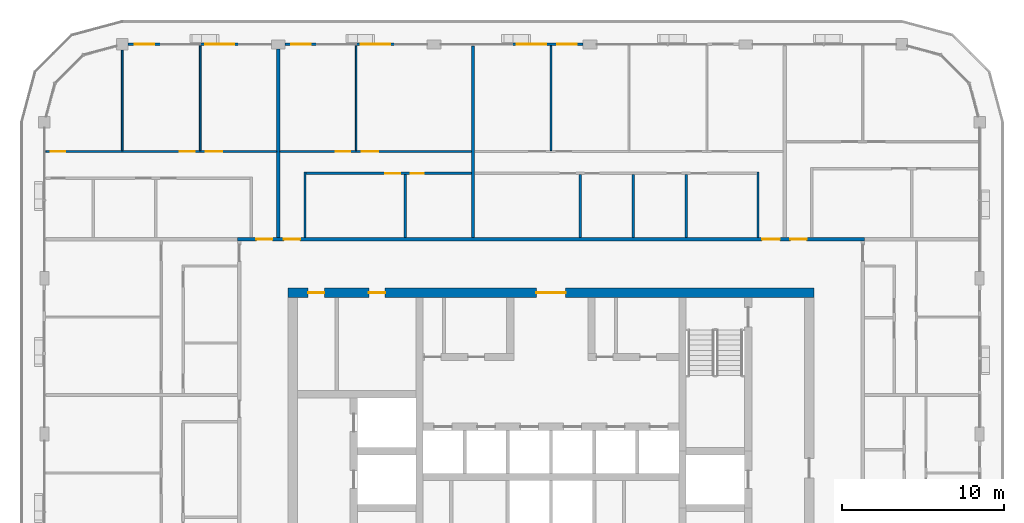
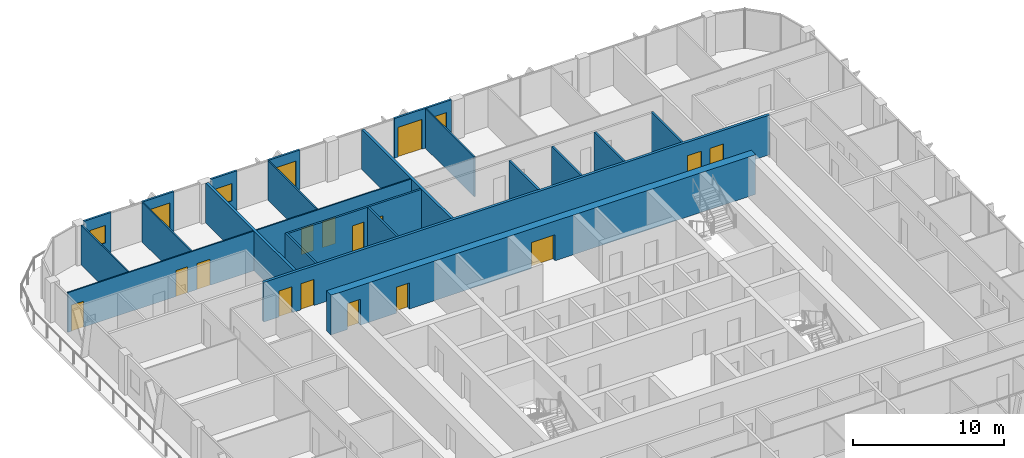
# One storey, part 14 of 21: 22 walls, 17 doors, 3 windows, 20 openings.
"""IFC4 building model written with IfcOpenShell, lengths in metres."""

from ifc_helpers import new_model, si_unit, direction, frame, frame_2d, origin, place, context, subcontext, project, spatial, rectangle, extrude, material, layer, layer_set, type_object, element, fill, save


model = new_model("IFC4")

# Units and contexts
model_context = context("Model", 3, precision=1e-05, world=origin(), true_north=direction((0.0, 1.0)))
body_context = subcontext(model_context, "Body", "Model", "MODEL_VIEW")
ifc_project = project(units=[si_unit("LENGTHUNIT", "METRE"), si_unit("AREAUNIT", "SQUARE_METRE"), si_unit("VOLUMEUNIT", "CUBIC_METRE"), si_unit("PLANEANGLEUNIT", "RADIAN"), si_unit("MASSUNIT", "GRAM", prefix="KILO")], contexts=[model_context])

# Site, building, storey
site_placement = place(None, origin())
site = spatial("IfcSite", under=ifc_project, at=site_placement, CompositionType="ELEMENT")
building_placement = place(site_placement, origin())
building = spatial("IfcBuilding", under=site, at=building_placement, Name="Madar Terraces", CompositionType="ELEMENT")
storey_placement = place(building_placement, frame((0.0, 0.0, 245.699951171875)))
storey = spatial("IfcBuildingStorey", under=building, at=storey_placement, Name="L64", CompositionType="ELEMENT", Elevation=245.699951171875)

# Wall, openings, doors
ifc_material_1 = material(Name="Concrete C55/67", Category="concrete")
ifc_layer_1 = layer(ifc_material_1, 0.60009765625)
ifc_layer_set_1 = layer_set([ifc_layer_1], Name="Concrete C55/67 (CRW5 RC wall 600)")
wall_type_1 = type_object("IfcWallType", Name="CRW5 RC wall 600", PredefinedType="SHEAR", material=ifc_layer_set_1)
wall_1_placement = place(storey_placement, frame((15.0, 37.5, 0.0), z_axis=(0.0, 0.0, 1.0), x_axis=(1.0, 0.0, 0.0)))
wall_1 = element("IfcWall", 1, at=wall_1_placement, inside=storey, type_object=wall_type_1, Name="CORE OUTER WALL", PredefinedType="SHEAR", context=body_context, shape_type="SweptSolid", body=[
    extrude(rectangle(XDim=32.39990234375, YDim=0.60009765625, at=frame_2d((16.199951171875, 0.0))), origin(), (0.0, 0.0, 1.0), 3.199951171875),
])
opening_1_placement = place(wall_1_placement, frame((15.300048828125, 0.0, 0.0)))
opening_1 = element("IfcOpeningElement", 2, at=opening_1_placement, cuts=wall_1, Name="Opening KD1", PredefinedType="OPENING", context=body_context, shape_type="SweptSolid", body=[
    extrude(rectangle(XDim=1.800048828125, YDim=2.10009765625, at=frame_2d((0.89990234375, 1.050048828125))), frame((0.0, 0.31005859375, 0.0), z_axis=(0.0, -1.0, 0.0), x_axis=(1.0, 0.0, 0.0)), (0.0, 0.0, 1.0), 0.6201171875),
])
opening_2_placement = place(wall_1_placement, frame((1.25048828125, 0.0, 0.0)))
opening_2 = element("IfcOpeningElement", 3, at=opening_2_placement, cuts=wall_1, Name="Opening KD2", PredefinedType="OPENING", context=body_context, shape_type="SweptSolid", body=[
    extrude(rectangle(XDim=1.0, YDim=2.10009765625, at=frame_2d((0.5, 1.050048828125))), frame((0.0, 0.31005859375, 0.0), z_axis=(0.0, -1.0, 0.0), x_axis=(1.0, 0.0, 0.0)), (0.0, 0.0, 1.0), 0.6201171875),
])
opening_3_placement = place(wall_1_placement, frame((4.98779296875, 0.0, 0.0)))
opening_3 = element("IfcOpeningElement", 4, at=opening_3_placement, cuts=wall_1, Name="Opening KD2", PredefinedType="OPENING", context=body_context, shape_type="SweptSolid", body=[
    extrude(rectangle(XDim=1.0, YDim=2.10009765625, at=frame_2d((0.5, 1.050048828125))), frame((0.0, 0.31005859375, 0.0), z_axis=(0.0, -1.0, 0.0), x_axis=(1.0, 0.0, 0.0)), (0.0, 0.0, 1.0), 0.6201171875),
])
ifc_material_2 = material(Name="Steel door leaf", Category="steel")
door_type_1 = type_object("IfcDoorType", Name="Lobby door pair 1800 x 2100", OperationType="DOUBLE_DOOR_SINGLE_SWING", PredefinedType="DOOR", material=ifc_material_2)
door_1_placement = place(opening_1_placement, origin())
door_1 = element("IfcDoor", 5, at=door_1_placement, inside=storey, type_object=door_type_1, Name="LIFT LOBBY DOOR", OperationType="DOUBLE_DOOR_SINGLE_SWING", OverallHeight=2.10009765625, OverallWidth=1.800048828125, PredefinedType="DOOR", context=body_context, shape_type="SweptSolid", body=[
    extrude(rectangle(XDim=1.800048828125, YDim=2.10009765625, at=frame_2d((0.89990234375, 1.050048828125))), frame((0.0, 0.02490234375, 0.0), z_axis=(0.0, -1.0, 0.0), x_axis=(1.0, 0.0, 0.0)), (0.0, 0.0, 1.0), 0.050048828125),
])
fill(opening_1, door_1)
ifc_material_3 = material(Name="Steel door leaf", Category="steel")
door_type_2 = type_object("IfcDoorType", Name="Service room door 1000 x 2100", OperationType="NOTDEFINED", PredefinedType="DOOR", material=ifc_material_3)
door_2_placement = place(opening_2_placement, origin())
door_2 = element("IfcDoor", 6, at=door_2_placement, inside=storey, type_object=door_type_2, Name="SERVICE ROOM DOOR", OperationType="SINGLE_SWING_LEFT", OverallHeight=2.10009765625, OverallWidth=1.0, PredefinedType="DOOR", context=body_context, shape_type="SweptSolid", body=[
    extrude(rectangle(XDim=1.0, YDim=2.10009765625, at=frame_2d((0.5, 1.050048828125))), frame((0.0, 0.02490234375, 0.0), z_axis=(0.0, -1.0, 0.0), x_axis=(1.0, 0.0, 0.0)), (0.0, 0.0, 1.0), 0.050048828125),
])
fill(opening_2, door_2)
door_3_placement = place(opening_3_placement, origin())
door_3 = element("IfcDoor", 7, at=door_3_placement, inside=storey, type_object=door_type_2, Name="SERVICE ROOM DOOR", OperationType="SINGLE_SWING_RIGHT", OverallHeight=2.10009765625, OverallWidth=1.0, PredefinedType="DOOR", context=body_context, shape_type="SweptSolid", body=[
    extrude(rectangle(XDim=1.0, YDim=2.10009765625, at=frame_2d((0.5, 1.050048828125))), frame((0.0, 0.02490234375, 0.0), z_axis=(0.0, -1.0, 0.0), x_axis=(1.0, 0.0, 0.0)), (0.0, 0.0, 1.0), 0.050048828125),
])
fill(opening_3, door_3)

# Wall, openings, door, window
ifc_material_4 = material(Name="Aluminium composite panel, black, over insulated backing", Category="aluminium")
ifc_layer_2 = layer(ifc_material_4, 0.14990234375)
ifc_layer_set_2 = layer_set([ifc_layer_2], Name="Facade bay panel 150")
wall_type_2 = type_object("IfcWallType", Name="Facade bay panel 150", PredefinedType="SOLIDWALL", material=ifc_layer_set_2)
wall_2_placement = place(storey_placement, frame((33.175048828125, 52.800048828125, 0.0), z_axis=(0.0, 0.0, 1.0), x_axis=(-1.0, 0.0, 0.0)))
wall_2 = element("IfcWall", 8, at=wall_2_placement, inside=storey, type_object=wall_type_2, Name="Facade bay panel", PredefinedType="SOLIDWALL", context=body_context, shape_type="SweptSolid", body=[
    extrude(rectangle(XDim=4.375, YDim=0.14990234375, at=frame_2d((2.1875, 0.0))), origin(), (0.0, 0.0, 1.0), 3.199951171875),
])
opening_4_placement = place(wall_2_placement, frame((0.387451171875, 0.0, 0.89990234375)))
opening_4 = element("IfcOpeningElement", 9, at=opening_4_placement, cuts=wall_2, Name="Opening W1", PredefinedType="OPENING", context=body_context, shape_type="SweptSolid", body=[
    extrude(rectangle(XDim=1.199951171875, YDim=1.39990234375, at=frame_2d((0.60009765625, 0.699951171875))), frame((0.0, 0.0849609375, 0.0), z_axis=(0.0, -1.0, 0.0), x_axis=(1.0, 0.0, 0.0)), (0.0, 0.0, 1.0), 0.169921875),
])
opening_5_placement = place(wall_2_placement, frame((2.27490234375, 0.0, 0.0)))
opening_5 = element("IfcOpeningElement", 10, at=opening_5_placement, cuts=wall_2, Name="Opening ED1", PredefinedType="OPENING", context=body_context, shape_type="SweptSolid", body=[
    extrude(rectangle(XDim=1.800048828125, YDim=2.39990234375, at=frame_2d((0.89990234375, 1.199951171875))), frame((0.0, 0.0849609375, 0.0), z_axis=(0.0, -1.0, 0.0), x_axis=(1.0, 0.0, 0.0)), (0.0, 0.0, 1.0), 0.169921875),
])
ifc_material_5 = material(Name="Glass, clear, with black aluminium frame", Category="aluminium")
door_type_3 = type_object("IfcDoorType", Name="Balcony and terrace sliding door 1800 x 2400", OperationType="SLIDING_TO_LEFT", PredefinedType="DOOR", material=ifc_material_5)
door_4_placement = place(opening_5_placement, origin())
door_4 = element("IfcDoor", 11, at=door_4_placement, inside=storey, type_object=door_type_3, Name="Balcony door", OperationType="SLIDING_TO_RIGHT", OverallHeight=2.39990234375, OverallWidth=1.800048828125, PredefinedType="DOOR", context=body_context, shape_type="SweptSolid", body=[
    extrude(rectangle(XDim=1.800048828125, YDim=2.39990234375, at=frame_2d((0.89990234375, 1.199951171875))), frame((0.0, 0.02490234375, 0.0), z_axis=(0.0, -1.0, 0.0), x_axis=(1.0, 0.0, 0.0)), (0.0, 0.0, 1.0), 0.050048828125),
])
fill(opening_5, door_4)
ifc_material_6 = material(Name="Glass, clear, with black aluminium frame", Category="aluminium")
window_type = type_object("IfcWindowType", Name="Vent window 1200 x 1400", PartitioningType="SINGLE_PANEL", PredefinedType="WINDOW", material=ifc_material_6)
window_1_placement = place(opening_4_placement, origin())
window_1 = element("IfcWindow", 12, at=window_1_placement, inside=storey, type_object=window_type, Name="Operable vent window", OverallHeight=1.39990234375, OverallWidth=1.199951171875, PartitioningType="SINGLE_PANEL", PredefinedType="WINDOW", context=body_context, shape_type="SweptSolid", body=[
    extrude(rectangle(XDim=1.199951171875, YDim=1.39990234375, at=frame_2d((0.60009765625, 0.699951171875))), frame((0.0, 0.030029296875, 0.0), z_axis=(0.0, -1.0, 0.0), x_axis=(1.0, 0.0, 0.0)), (0.0, 0.0, 1.0), 0.06005859375),
])
fill(opening_4, window_1)

# Wall, opening, door
wall_3_placement = place(storey_placement, frame((21.60009765625, 52.800048828125, 0.0), z_axis=(0.0, 0.0, 1.0), x_axis=(-1.0, 0.0, 0.0)))
wall_3 = element("IfcWall", 13, at=wall_3_placement, inside=storey, type_object=wall_type_2, Name="Facade bay panel", PredefinedType="SOLIDWALL", context=body_context, shape_type="SweptSolid", body=[
    extrude(rectangle(XDim=2.400146484375, YDim=0.14990234375, at=frame_2d((1.2001953125, 0.0))), origin(), (0.0, 0.0, 1.0), 3.199951171875),
])
opening_6_placement = place(wall_3_placement, frame((0.300048828125, 0.0, 0.0)))
opening_6 = element("IfcOpeningElement", 14, at=opening_6_placement, cuts=wall_3, Name="Opening ED1", PredefinedType="OPENING", context=body_context, shape_type="SweptSolid", body=[
    extrude(rectangle(XDim=1.800048828125, YDim=2.39990234375, at=frame_2d((0.89990234375, 1.199951171875))), frame((0.0, 0.0849609375, 0.0), z_axis=(0.0, -1.0, 0.0), x_axis=(1.0, 0.0, 0.0)), (0.0, 0.0, 1.0), 0.169921875),
])
door_5_placement = place(opening_6_placement, origin())
door_5 = element("IfcDoor", 15, at=door_5_placement, inside=storey, type_object=door_type_3, Name="Balcony door", OperationType="SLIDING_TO_LEFT", OverallHeight=2.39990234375, OverallWidth=1.800048828125, PredefinedType="DOOR", context=body_context, shape_type="SweptSolid", body=[
    extrude(rectangle(XDim=1.800048828125, YDim=2.39990234375, at=frame_2d((0.89990234375, 1.199951171875))), frame((0.0, 0.02490234375, 0.0), z_axis=(0.0, -1.0, 0.0), x_axis=(1.0, 0.0, 0.0)), (0.0, 0.0, 1.0), 0.050048828125),
])
fill(opening_6, door_5)

# Wall, opening, window
wall_4_placement = place(storey_placement, frame((16.800048828125, 52.800048828125, 0.0), z_axis=(0.0, 0.0, 1.0), x_axis=(-1.0, 0.0, 0.0)))
wall_4 = element("IfcWall", 16, at=wall_4_placement, inside=storey, type_object=wall_type_2, Name="Facade bay panel", PredefinedType="SOLIDWALL", context=body_context, shape_type="SweptSolid", body=[
    extrude(rectangle(XDim=1.97509765625, YDim=0.14990234375, at=frame_2d((0.987548828125, 0.0))), origin(), (0.0, 0.0, 1.0), 3.199951171875),
])
opening_7_placement = place(wall_4_placement, frame((0.387451171875, 0.0, 0.89990234375)))
opening_7 = element("IfcOpeningElement", 17, at=opening_7_placement, cuts=wall_4, Name="Opening W1", PredefinedType="OPENING", context=body_context, shape_type="SweptSolid", body=[
    extrude(rectangle(XDim=1.199951171875, YDim=1.39990234375, at=frame_2d((0.60009765625, 0.699951171875))), frame((0.0, 0.0849609375, 0.0), z_axis=(0.0, -1.0, 0.0), x_axis=(1.0, 0.0, 0.0)), (0.0, 0.0, 1.0), 0.169921875),
])
window_2_placement = place(opening_7_placement, origin())
window_2 = element("IfcWindow", 18, at=window_2_placement, inside=storey, type_object=window_type, Name="Operable vent window", OverallHeight=1.39990234375, OverallWidth=1.199951171875, PartitioningType="SINGLE_PANEL", PredefinedType="WINDOW", context=body_context, shape_type="SweptSolid", body=[
    extrude(rectangle(XDim=1.199951171875, YDim=1.39990234375, at=frame_2d((0.60009765625, 0.699951171875))), frame((0.0, 0.030029296875, 0.0), z_axis=(0.0, -1.0, 0.0), x_axis=(1.0, 0.0, 0.0)), (0.0, 0.0, 1.0), 0.06005859375),
])
fill(opening_7, window_2)

# Wall, opening, door
wall_5_placement = place(storey_placement, frame((12.0, 52.800048828125, 0.0), z_axis=(0.0, 0.0, 1.0), x_axis=(-1.0, 0.0, 0.0)))
wall_5 = element("IfcWall", 19, at=wall_5_placement, inside=storey, type_object=wall_type_2, Name="Facade bay panel", PredefinedType="SOLIDWALL", context=body_context, shape_type="SweptSolid", body=[
    extrude(rectangle(XDim=2.39990234375, YDim=0.14990234375, at=frame_2d((1.199951171875, 0.0))), origin(), (0.0, 0.0, 1.0), 3.199951171875),
])
opening_8_placement = place(wall_5_placement, frame((0.300048828125, 0.0, 0.0)))
opening_8 = element("IfcOpeningElement", 20, at=opening_8_placement, cuts=wall_5, Name="Opening ED1", PredefinedType="OPENING", context=body_context, shape_type="SweptSolid", body=[
    extrude(rectangle(XDim=1.800048828125, YDim=2.39990234375, at=frame_2d((0.89990234375, 1.199951171875))), frame((0.0, 0.0849609375, 0.0), z_axis=(0.0, -1.0, 0.0), x_axis=(1.0, 0.0, 0.0)), (0.0, 0.0, 1.0), 0.169921875),
])
door_6_placement = place(opening_8_placement, origin())
door_6 = element("IfcDoor", 21, at=door_6_placement, inside=storey, type_object=door_type_3, Name="Balcony door", OperationType="SLIDING_TO_RIGHT", OverallHeight=2.39990234375, OverallWidth=1.800048828125, PredefinedType="DOOR", context=body_context, shape_type="SweptSolid", body=[
    extrude(rectangle(XDim=1.800048828125, YDim=2.39990234375, at=frame_2d((0.89990234375, 1.199951171875))), frame((0.0, 0.02490234375, 0.0), z_axis=(0.0, -1.0, 0.0), x_axis=(1.0, 0.0, 0.0)), (0.0, 0.0, 1.0), 0.050048828125),
])
fill(opening_8, door_6)

# Wall, opening, window
wall_6_placement = place(storey_placement, frame((7.199951171875, 52.800048828125, 0.0), z_axis=(0.0, 0.0, 1.0), x_axis=(-1.0, 0.0, 0.0)))
wall_6 = element("IfcWall", 22, at=wall_6_placement, inside=storey, type_object=wall_type_2, Name="Facade bay panel", PredefinedType="SOLIDWALL", context=body_context, shape_type="SweptSolid", body=[
    extrude(rectangle(XDim=2.050048828125, YDim=0.14990234375, at=frame_2d((1.02490234375, 0.0))), origin(), (0.0, 0.0, 1.0), 3.199951171875),
])
opening_9_placement = place(wall_6_placement, frame((0.425048828125, 0.0, 0.89990234375)))
opening_9 = element("IfcOpeningElement", 23, at=opening_9_placement, cuts=wall_6, Name="Opening W1", PredefinedType="OPENING", context=body_context, shape_type="SweptSolid", body=[
    extrude(rectangle(XDim=1.199951171875, YDim=1.39990234375, at=frame_2d((0.60009765625, 0.699951171875))), frame((0.0, 0.0849609375, 0.0), z_axis=(0.0, -1.0, 0.0), x_axis=(1.0, 0.0, 0.0)), (0.0, 0.0, 1.0), 0.169921875),
])
window_3_placement = place(opening_9_placement, origin())
window_3 = element("IfcWindow", 24, at=window_3_placement, inside=storey, type_object=window_type, Name="Operable vent window", OverallHeight=1.39990234375, OverallWidth=1.199951171875, PartitioningType="SINGLE_PANEL", PredefinedType="WINDOW", context=body_context, shape_type="SweptSolid", body=[
    extrude(rectangle(XDim=1.199951171875, YDim=1.39990234375, at=frame_2d((0.60009765625, 0.699951171875))), frame((0.0, 0.030029296875, 0.0), z_axis=(0.0, -1.0, 0.0), x_axis=(1.0, 0.0, 0.0)), (0.0, 0.0, 1.0), 0.06005859375),
])
fill(opening_9, window_3)

# Walls
ifc_material_7 = material(Name="Gypsum board on steel studs", Category="steel")
ifc_layer_3 = layer(ifc_material_7, 0.10009765625)
ifc_layer_set_3 = layer_set([ifc_layer_3], Name="Flat partition 100")
wall_type_3 = type_object("IfcWallType", Name="Flat partition 100", PredefinedType="PARTITIONING", material=ifc_layer_set_3)
for number, where, z_axis, x_axis, name in (
    (25, (31.199951171875, 46.25, 0.0), (0.0, 0.0, 1.0), (0.0, 1.0, 0.0), "Flat partition 100"),
    (26, (19.199951171875, 46.25, 0.0), (0.0, 0.0, 1.0), (0.0, 1.0, 0.0), "Flat partition 100"),
):
    element("IfcWall", number, at=place(storey_placement, frame(where, z_axis=z_axis, x_axis=x_axis)), inside=storey, type_object=wall_type_3, Name=name, PredefinedType="PARTITIONING", context=body_context, shape_type="SweptSolid", body=[
        extrude(rectangle(XDim=6.449951171875, YDim=0.10009765625, at=frame_2d((3.22509765625, 0.0))), origin(), (0.0, 0.0, 1.0), 3.199951171875),
    ])

# Wall, openings, doors
wall_7_placement = place(storey_placement, frame((14.5, 46.199951171875, 0.0), z_axis=(0.0, 0.0, 1.0), x_axis=(1.0, 0.0, 0.0)))
wall_7 = element("IfcWall", 27, at=wall_7_placement, inside=storey, type_object=wall_type_3, Name="Flat partition 100", PredefinedType="PARTITIONING", context=body_context, shape_type="SweptSolid", body=[
    extrude(rectangle(XDim=11.800048828125, YDim=0.10009765625, at=frame_2d((5.89990234375, 0.0))), origin(), (0.0, 0.0, 1.0), 3.199951171875),
])
opening_10_placement = place(wall_7_placement, frame((3.449951171875, 0.0, 0.0)))
opening_10 = element("IfcOpeningElement", 28, at=opening_10_placement, cuts=wall_7, Name="Opening D2", PredefinedType="OPENING", context=body_context, shape_type="SweptSolid", body=[
    extrude(rectangle(XDim=0.89990234375, YDim=2.10009765625, at=frame_2d((0.449951171875, 1.050048828125))), frame((0.0, 0.06005859375, 0.0), z_axis=(0.0, -1.0, 0.0), x_axis=(1.0, 0.0, 0.0)), (0.0, 0.0, 1.0), 0.1201171875),
])
opening_11_placement = place(wall_7_placement, frame((5.050048828125, 0.0, 0.0)))
opening_11 = element("IfcOpeningElement", 29, at=opening_11_placement, cuts=wall_7, Name="Opening D3", PredefinedType="OPENING", context=body_context, shape_type="SweptSolid", body=[
    extrude(rectangle(XDim=1.0, YDim=2.10009765625, at=frame_2d((0.5, 1.050048828125))), frame((0.0, 0.06005859375, 0.0), z_axis=(0.0, -1.0, 0.0), x_axis=(1.0, 0.0, 0.0)), (0.0, 0.0, 1.0), 0.1201171875),
])
ifc_material_8 = material(Name="Timber door leaf", Category="wood")
door_type_4 = type_object("IfcDoorType", Name="Flat living room door 1000", OperationType="NOTDEFINED", PredefinedType="DOOR", material=ifc_material_8)
door_7_placement = place(opening_11_placement, origin())
door_7 = element("IfcDoor", 30, at=door_7_placement, inside=storey, type_object=door_type_4, Name="Flat living room door 1000", OperationType="SINGLE_SWING_LEFT", OverallHeight=2.10009765625, OverallWidth=1.0, PredefinedType="DOOR", context=body_context, shape_type="SweptSolid", body=[
    extrude(rectangle(XDim=1.0, YDim=2.10009765625, at=frame_2d((0.5, 1.050048828125))), frame((0.0, 0.02490234375, 0.0), z_axis=(0.0, -1.0, 0.0), x_axis=(1.0, 0.0, 0.0)), (0.0, 0.0, 1.0), 0.050048828125),
])
fill(opening_11, door_7)
ifc_material_9 = material(Name="Timber door leaf", Category="wood")
door_type_5 = type_object("IfcDoorType", Name="Flat room door 900", OperationType="NOTDEFINED", PredefinedType="DOOR", material=ifc_material_9)
door_8_placement = place(opening_10_placement, origin())
door_8 = element("IfcDoor", 31, at=door_8_placement, inside=storey, type_object=door_type_5, Name="Flat room door 900", OperationType="SINGLE_SWING_RIGHT", OverallHeight=2.10009765625, OverallWidth=0.89990234375, PredefinedType="DOOR", context=body_context, shape_type="SweptSolid", body=[
    extrude(rectangle(XDim=0.89990234375, YDim=2.10009765625, at=frame_2d((0.449951171875, 1.050048828125))), frame((0.0, 0.02490234375, 0.0), z_axis=(0.0, -1.0, 0.0), x_axis=(1.0, 0.0, 0.0)), (0.0, 0.0, 1.0), 0.050048828125),
])
fill(opening_10, door_8)

# Walls
wall_8_placement = place(storey_placement, frame((9.60009765625, 46.25, 0.0), z_axis=(0.0, 0.0, 1.0), x_axis=(0.0, 1.0, 0.0)))
element("IfcWall", 32, at=wall_8_placement, inside=storey, type_object=wall_type_3, Name="Flat partition 100", PredefinedType="PARTITIONING", context=body_context, shape_type="SweptSolid", body=[
    extrude(rectangle(XDim=6.449951171875, YDim=0.10009765625, at=frame_2d((3.22509765625, 0.0))), origin(), (0.0, 0.0, 1.0), 3.199951171875),
])
wall_9_placement = place(storey_placement, frame((4.800048828125, 46.25, 0.0), z_axis=(0.0, 0.0, 1.0), x_axis=(0.0, 1.0, 0.0)))
element("IfcWall", 33, at=wall_9_placement, inside=storey, type_object=wall_type_3, Name="Flat partition 100", PredefinedType="PARTITIONING", context=body_context, shape_type="SweptSolid", body=[
    extrude(rectangle(XDim=6.199951171875, YDim=0.10009765625, at=frame_2d((3.10009765625, 0.0))), origin(), (0.0, 0.0, 1.0), 3.199951171875),
])

# Wall, openings, doors
wall_10_placement = place(storey_placement, frame((0.10009765625, 46.199951171875, 0.0), z_axis=(0.0, 0.0, 1.0), x_axis=(1.0, 0.0, 0.0)))
wall_10 = element("IfcWall", 34, at=wall_10_placement, inside=storey, type_object=wall_type_3, Name="Flat partition 100", PredefinedType="PARTITIONING", context=body_context, shape_type="SweptSolid", body=[
    extrude(rectangle(XDim=14.199951171875, YDim=0.10009765625, at=frame_2d((7.10009765625, 0.0))), origin(), (0.0, 0.0, 1.0), 3.199951171875),
])
opening_12_placement = place(wall_10_placement, frame((9.85009765625, 0.0, 0.0)))
opening_12 = element("IfcOpeningElement", 35, at=opening_12_placement, cuts=wall_10, Name="Opening D3", PredefinedType="OPENING", context=body_context, shape_type="SweptSolid", body=[
    extrude(rectangle(XDim=1.0, YDim=2.10009765625, at=frame_2d((0.5, 1.050048828125))), frame((0.0, 0.06005859375, 0.0), z_axis=(0.0, -1.0, 0.0), x_axis=(1.0, 0.0, 0.0)), (0.0, 0.0, 1.0), 0.1201171875),
])
opening_13_placement = place(wall_10_placement, frame((8.25, 0.0, 0.0)))
opening_13 = element("IfcOpeningElement", 36, at=opening_13_placement, cuts=wall_10, Name="Opening D2", PredefinedType="OPENING", context=body_context, shape_type="SweptSolid", body=[
    extrude(rectangle(XDim=0.89990234375, YDim=2.10009765625, at=frame_2d((0.449951171875, 1.050048828125))), frame((0.0, 0.06005859375, 0.0), z_axis=(0.0, -1.0, 0.0), x_axis=(1.0, 0.0, 0.0)), (0.0, 0.0, 1.0), 0.1201171875),
])
opening_14_placement = place(wall_10_placement, frame((0.300048828125, 0.0, 0.0)))
opening_14 = element("IfcOpeningElement", 37, at=opening_14_placement, cuts=wall_10, Name="Opening D2", PredefinedType="OPENING", context=body_context, shape_type="SweptSolid", body=[
    extrude(rectangle(XDim=0.89990234375, YDim=2.10009765625, at=frame_2d((0.449951171875, 1.050048828125))), frame((0.0, 0.06005859375, 0.0), z_axis=(0.0, -1.0, 0.0), x_axis=(1.0, 0.0, 0.0)), (0.0, 0.0, 1.0), 0.1201171875),
])
door_9_placement = place(opening_12_placement, origin())
door_9 = element("IfcDoor", 38, at=door_9_placement, inside=storey, type_object=door_type_4, Name="Flat living room door 1000", OperationType="SINGLE_SWING_LEFT", OverallHeight=2.10009765625, OverallWidth=1.0, PredefinedType="DOOR", context=body_context, shape_type="SweptSolid", body=[
    extrude(rectangle(XDim=1.0, YDim=2.10009765625, at=frame_2d((0.5, 1.050048828125))), frame((0.0, 0.02490234375, 0.0), z_axis=(0.0, -1.0, 0.0), x_axis=(1.0, 0.0, 0.0)), (0.0, 0.0, 1.0), 0.050048828125),
])
fill(opening_12, door_9)
door_10_placement = place(opening_13_placement, origin())
door_10 = element("IfcDoor", 39, at=door_10_placement, inside=storey, type_object=door_type_5, Name="Flat room door 900", OperationType="SINGLE_SWING_RIGHT", OverallHeight=2.10009765625, OverallWidth=0.89990234375, PredefinedType="DOOR", context=body_context, shape_type="SweptSolid", body=[
    extrude(rectangle(XDim=0.89990234375, YDim=2.10009765625, at=frame_2d((0.449951171875, 1.050048828125))), frame((0.0, 0.02490234375, 0.0), z_axis=(0.0, -1.0, 0.0), x_axis=(1.0, 0.0, 0.0)), (0.0, 0.0, 1.0), 0.050048828125),
])
fill(opening_13, door_10)
door_11_placement = place(opening_14_placement, origin())
door_11 = element("IfcDoor", 40, at=door_11_placement, inside=storey, type_object=door_type_5, Name="Flat room door 900", OperationType="SINGLE_SWING_LEFT", OverallHeight=2.10009765625, OverallWidth=0.89990234375, PredefinedType="DOOR", context=body_context, shape_type="SweptSolid", body=[
    extrude(rectangle(XDim=0.89990234375, YDim=2.10009765625, at=frame_2d((0.449951171875, 1.050048828125))), frame((0.0, 0.02490234375, 0.0), z_axis=(0.0, -1.0, 0.0), x_axis=(1.0, 0.0, 0.0)), (0.0, 0.0, 1.0), 0.050048828125),
])
fill(opening_14, door_11)

ifc_material_10 = material(Name="Lightweight blockwork", Category="masonry")
ifc_layer_4 = layer(ifc_material_10, 0.199951171875)
ifc_layer_set_4 = layer_set([ifc_layer_4], Name="Flat party and entrance wall 200")
wall_type_4 = type_object("IfcWallType", Name="Flat party and entrance wall 200", PredefinedType="PARTITIONING", material=ifc_layer_set_4)
wall_11_placement = place(storey_placement, frame((11.89990234375, 40.800048828125, 0.0), z_axis=(0.0, 0.0, 1.0), x_axis=(1.0, 0.0, 0.0)))
wall_11 = element("IfcWall", 41, at=wall_11_placement, inside=storey, type_object=wall_type_4, Name="Flat party and entrance wall 200", PredefinedType="PARTITIONING", context=body_context, shape_type="SweptSolid", body=[
    extrude(rectangle(XDim=38.60009765625, YDim=0.199951171875, at=frame_2d((19.300048828125, 0.0))), origin(), (0.0, 0.0, 1.0), 3.199951171875),
])
opening_15_placement = place(wall_11_placement, frame((34.050048828125, 0.0, 0.0)))
opening_15 = element("IfcOpeningElement", 42, at=opening_15_placement, cuts=wall_11, Name="Opening D1", PredefinedType="OPENING", context=body_context, shape_type="SweptSolid", body=[
    extrude(rectangle(XDim=1.0, YDim=2.10009765625, at=frame_2d((0.5, 1.050048828125))), frame((0.0, 0.10986328125, 0.0), z_axis=(0.0, -1.0, 0.0), x_axis=(1.0, 0.0, 0.0)), (0.0, 0.0, 1.0), 0.219970703125),
])
opening_16_placement = place(wall_11_placement, frame((32.300048828125, 0.0, 0.0)))
opening_16 = element("IfcOpeningElement", 43, at=opening_16_placement, cuts=wall_11, Name="Opening D6", PredefinedType="OPENING", context=body_context, shape_type="SweptSolid", body=[
    extrude(rectangle(XDim=1.10009765625, YDim=2.10009765625, at=frame_2d((0.550048828125, 1.050048828125))), frame((0.0, 0.10986328125, 0.0), z_axis=(0.0, -1.0, 0.0), x_axis=(1.0, 0.0, 0.0)), (0.0, 0.0, 1.0), 0.219970703125),
])
opening_17_placement = place(wall_11_placement, frame((2.85009765625, 0.0, 0.0)))
opening_17 = element("IfcOpeningElement", 44, at=opening_17_placement, cuts=wall_11, Name="Opening D1", PredefinedType="OPENING", context=body_context, shape_type="SweptSolid", body=[
    extrude(rectangle(XDim=1.0, YDim=2.10009765625, at=frame_2d((0.5, 1.050048828125))), frame((0.0, 0.10986328125, 0.0), z_axis=(0.0, -1.0, 0.0), x_axis=(1.0, 0.0, 0.0)), (0.0, 0.0, 1.0), 0.219970703125),
])
opening_18_placement = place(wall_11_placement, frame((1.14990234375, 0.0, 0.0)))
opening_18 = element("IfcOpeningElement", 45, at=opening_18_placement, cuts=wall_11, Name="Opening D1", PredefinedType="OPENING", context=body_context, shape_type="SweptSolid", body=[
    extrude(rectangle(XDim=1.0, YDim=2.10009765625, at=frame_2d((0.5, 1.050048828125))), frame((0.0, 0.10986328125, 0.0), z_axis=(0.0, -1.0, 0.0), x_axis=(1.0, 0.0, 0.0)), (0.0, 0.0, 1.0), 0.219970703125),
])
ifc_material_11 = material(Name="Timber fire door leaf", Category="wood")
door_type_6 = type_object("IfcDoorType", Name="Flat entrance door 1000 FD30S", OperationType="NOTDEFINED", PredefinedType="DOOR", material=ifc_material_11)
door_12_placement = place(opening_15_placement, origin())
door_12 = element("IfcDoor", 46, at=door_12_placement, inside=storey, type_object=door_type_6, Name="Flat entrance door 1000 FD30S", OperationType="SINGLE_SWING_LEFT", OverallHeight=2.10009765625, OverallWidth=1.0, PredefinedType="DOOR", context=body_context, shape_type="SweptSolid", body=[
    extrude(rectangle(XDim=1.0, YDim=2.10009765625, at=frame_2d((0.5, 1.050048828125))), frame((0.0, 0.02490234375, 0.0), z_axis=(0.0, -1.0, 0.0), x_axis=(1.0, 0.0, 0.0)), (0.0, 0.0, 1.0), 0.050048828125),
])
fill(opening_15, door_12)
door_13_placement = place(opening_17_placement, origin())
door_13 = element("IfcDoor", 47, at=door_13_placement, inside=storey, type_object=door_type_6, Name="Flat entrance door 1000 FD30S", OperationType="SINGLE_SWING_LEFT", OverallHeight=2.10009765625, OverallWidth=1.0, PredefinedType="DOOR", context=body_context, shape_type="SweptSolid", body=[
    extrude(rectangle(XDim=1.0, YDim=2.10009765625, at=frame_2d((0.5, 1.050048828125))), frame((0.0, 0.02490234375, 0.0), z_axis=(0.0, -1.0, 0.0), x_axis=(1.0, 0.0, 0.0)), (0.0, 0.0, 1.0), 0.050048828125),
])
fill(opening_17, door_13)
door_14_placement = place(opening_18_placement, origin())
door_14 = element("IfcDoor", 48, at=door_14_placement, inside=storey, type_object=door_type_6, Name="Flat entrance door 1000 FD30S", OperationType="SINGLE_SWING_RIGHT", OverallHeight=2.10009765625, OverallWidth=1.0, PredefinedType="DOOR", context=body_context, shape_type="SweptSolid", body=[
    extrude(rectangle(XDim=1.0, YDim=2.10009765625, at=frame_2d((0.5, 1.050048828125))), frame((0.0, 0.02490234375, 0.0), z_axis=(0.0, -1.0, 0.0), x_axis=(1.0, 0.0, 0.0)), (0.0, 0.0, 1.0), 0.050048828125),
])
fill(opening_18, door_14)
ifc_material_12 = material(Name="Timber fire door leaf", Category="wood")
door_type_7 = type_object("IfcDoorType", Name="Flat entrance door 1100 FD30S", OperationType="NOTDEFINED", PredefinedType="DOOR", material=ifc_material_12)
door_15_placement = place(opening_16_placement, origin())
door_15 = element("IfcDoor", 49, at=door_15_placement, inside=storey, type_object=door_type_7, Name="Flat entrance door 1100 FD30S", OperationType="SINGLE_SWING_RIGHT", OverallHeight=2.10009765625, OverallWidth=1.10009765625, PredefinedType="DOOR", context=body_context, shape_type="SweptSolid", body=[
    extrude(rectangle(XDim=1.10009765625, YDim=2.10009765625, at=frame_2d((0.550048828125, 1.050048828125))), frame((0.0, 0.02490234375, 0.0), z_axis=(0.0, -1.0, 0.0), x_axis=(1.0, 0.0, 0.0)), (0.0, 0.0, 1.0), 0.050048828125),
])
fill(opening_16, door_15)

# Walls
wall_12_placement = place(storey_placement, frame((26.39990234375, 52.699951171875, 0.0), z_axis=(0.0, 0.0, 1.0), x_axis=(0.0, -1.0, 0.0)))
element("IfcWall", 50, at=wall_12_placement, inside=storey, type_object=wall_type_4, Name="Flat party and entrance wall 200", PredefinedType="PARTITIONING", context=body_context, shape_type="SweptSolid", body=[
    extrude(rectangle(XDim=11.800048828125, YDim=0.199951171875, at=frame_2d((5.89990234375, 0.0))), origin(), (0.0, 0.0, 1.0), 3.199951171875),
])
wall_13_placement = place(storey_placement, frame((14.39990234375, 52.52490234375, 0.0), z_axis=(0.0, 0.0, 1.0), x_axis=(0.0, -1.0, 0.0)))
element("IfcWall", 51, at=wall_13_placement, inside=storey, type_object=wall_type_4, Name="Flat party and entrance wall 200", PredefinedType="PARTITIONING", context=body_context, shape_type="SweptSolid", body=[
    extrude(rectangle(XDim=11.625, YDim=0.199951171875, at=frame_2d((5.8125, 0.0))), origin(), (0.0, 0.0, 1.0), 3.199951171875),
])
ifc_material_13 = material(Name="Lightweight blockwork", Category="masonry")
ifc_layer_5 = layer(ifc_material_13, 0.14990234375)
ifc_layer_set_5 = layer_set([ifc_layer_5], Name="Flat wet-room partition 150")
wall_type_5 = type_object("IfcWallType", Name="Flat wet-room partition 150", PredefinedType="PARTITIONING", material=ifc_layer_set_5)
for number, where, z_axis, x_axis, name in (
    (52, (39.53125, 40.89990234375, 0.0), (0.0, 0.0, 1.0), (0.0, 1.0, 0.0), "Flat wet-room partition 150"),
    (53, (36.2734375, 40.89990234375, 0.0), (0.0, 0.0, 1.0), (0.0, 1.0, 0.0), "Flat wet-room partition 150"),
    (54, (33.015625, 40.89990234375, 0.0), (0.0, 0.0, 1.0), (0.0, 1.0, 0.0), "Flat wet-room partition 150"),
):
    element("IfcWall", number, at=place(storey_placement, frame(where, z_axis=z_axis, x_axis=x_axis)), inside=storey, type_object=wall_type_5, Name=name, PredefinedType="PARTITIONING", context=body_context, shape_type="SweptSolid", body=[
        extrude(rectangle(XDim=3.875, YDim=0.14990234375, at=frame_2d((1.9375, 0.0))), origin(), (0.0, 0.0, 1.0), 3.199951171875),
    ])
wall_14_placement = place(storey_placement, frame((43.949951171875, 40.89990234375, 0.0), z_axis=(0.0, 0.0, 1.0), x_axis=(0.0, 1.0, 0.0)))
element("IfcWall", 55, at=wall_14_placement, inside=storey, type_object=wall_type_5, Name="Flat wet-room partition 150", PredefinedType="PARTITIONING", context=body_context, shape_type="SweptSolid", body=[
    extrude(rectangle(XDim=4.025146484375, YDim=0.14990234375, at=frame_2d((2.0126953125, 0.0))), origin(), (0.0, 0.0, 1.0), 3.199951171875),
])
wall_15_placement = place(storey_placement, frame((22.22998046875, 40.89990234375, 0.0), z_axis=(0.0, 0.0, 1.0), x_axis=(0.0, 1.0, 0.0)))
element("IfcWall", 56, at=wall_15_placement, inside=storey, type_object=wall_type_5, Name="Flat wet-room partition 150", PredefinedType="PARTITIONING", context=body_context, shape_type="SweptSolid", body=[
    extrude(rectangle(XDim=3.875, YDim=0.14990234375, at=frame_2d((1.9375, 0.0))), origin(), (0.0, 0.0, 1.0), 3.199951171875),
])
wall_16_placement = place(storey_placement, frame((16.050048828125, 40.89990234375, 0.0), z_axis=(0.0, 0.0, 1.0), x_axis=(0.0, 1.0, 0.0)))
element("IfcWall", 57, at=wall_16_placement, inside=storey, type_object=wall_type_5, Name="Flat wet-room partition 150", PredefinedType="PARTITIONING", context=body_context, shape_type="SweptSolid", body=[
    extrude(rectangle(XDim=4.025146484375, YDim=0.14990234375, at=frame_2d((2.0126953125, 0.0))), origin(), (0.0, 0.0, 1.0), 3.199951171875),
])

# Wall, openings, doors
wall_17_placement = place(storey_placement, frame((26.300048828125, 44.85009765625, 0.0), z_axis=(0.0, 0.0, 1.0), x_axis=(-1.0, 0.0, 0.0)))
wall_17 = element("IfcWall", 58, at=wall_17_placement, inside=storey, type_object=wall_type_5, Name="Flat wet-room partition 150", PredefinedType="PARTITIONING", context=body_context, shape_type="SweptSolid", body=[
    extrude(rectangle(XDim=10.175048828125, YDim=0.14990234375, at=frame_2d((5.08740234375, 0.0))), origin(), (0.0, 0.0, 1.0), 3.199951171875),
])
opening_19_placement = place(wall_17_placement, frame((4.39501953125, 0.0, 0.0)))
opening_19 = element("IfcOpeningElement", 59, at=opening_19_placement, cuts=wall_17, Name="Opening D2", PredefinedType="OPENING", context=body_context, shape_type="SweptSolid", body=[
    extrude(rectangle(XDim=0.89990234375, YDim=2.10009765625, at=frame_2d((0.449951171875, 1.050048828125))), frame((0.0, 0.0849609375, 0.0), z_axis=(0.0, -1.0, 0.0), x_axis=(1.0, 0.0, 0.0)), (0.0, 0.0, 1.0), 0.169921875),
])
opening_20_placement = place(wall_17_placement, frame((2.945068359375, 0.0, 0.0)))
opening_20 = element("IfcOpeningElement", 60, at=opening_20_placement, cuts=wall_17, Name="Opening D4", PredefinedType="OPENING", context=body_context, shape_type="SweptSolid", body=[
    extrude(rectangle(XDim=0.800048828125, YDim=2.10009765625, at=frame_2d((0.39990234375, 1.050048828125))), frame((0.0, 0.0849609375, 0.0), z_axis=(0.0, -1.0, 0.0), x_axis=(1.0, 0.0, 0.0)), (0.0, 0.0, 1.0), 0.169921875),
])
ifc_material_14 = material(Name="Timber door leaf", Category="wood")
door_type_8 = type_object("IfcDoorType", Name="Flat bathroom door 800", OperationType="NOTDEFINED", PredefinedType="DOOR", material=ifc_material_14)
door_16_placement = place(opening_20_placement, origin())
door_16 = element("IfcDoor", 61, at=door_16_placement, inside=storey, type_object=door_type_8, Name="Flat bathroom door 800", OperationType="SINGLE_SWING_RIGHT", OverallHeight=2.10009765625, OverallWidth=0.800048828125, PredefinedType="DOOR", context=body_context, shape_type="SweptSolid", body=[
    extrude(rectangle(XDim=0.800048828125, YDim=2.10009765625, at=frame_2d((0.39990234375, 1.050048828125))), frame((0.0, 0.02490234375, 0.0), z_axis=(0.0, -1.0, 0.0), x_axis=(1.0, 0.0, 0.0)), (0.0, 0.0, 1.0), 0.050048828125),
])
fill(opening_20, door_16)
door_17_placement = place(opening_19_placement, origin())
door_17 = element("IfcDoor", 62, at=door_17_placement, inside=storey, type_object=door_type_5, Name="Flat room door 900", OperationType="SINGLE_SWING_LEFT", OverallHeight=2.10009765625, OverallWidth=0.89990234375, PredefinedType="DOOR", context=body_context, shape_type="SweptSolid", body=[
    extrude(rectangle(XDim=0.89990234375, YDim=2.10009765625, at=frame_2d((0.449951171875, 1.050048828125))), frame((0.0, 0.02490234375, 0.0), z_axis=(0.0, -1.0, 0.0), x_axis=(1.0, 0.0, 0.0)), (0.0, 0.0, 1.0), 0.050048828125),
])
fill(opening_19, door_17)

save(model, "model.ifc")
